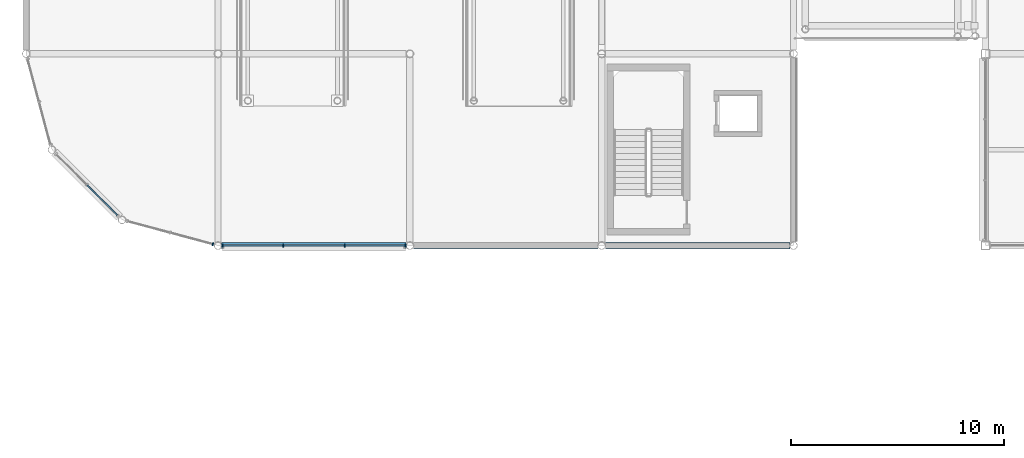
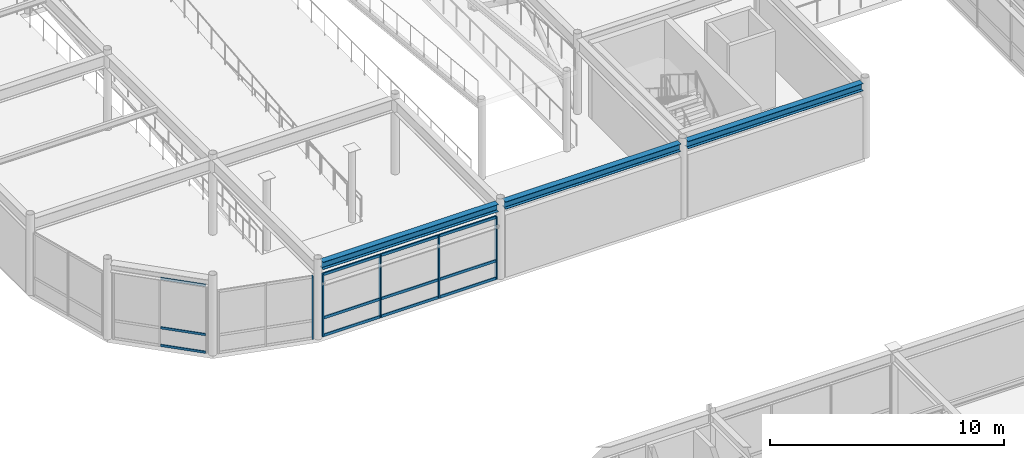
# One storey, part 33 of 108: 17 members, 3 beams, 3 elements without a shape of their own.
"""IFC4 building model written with IfcOpenShell, lengths in metres."""

from ifc_helpers import new_model, si_unit, direction, frame, origin, origin_2d, place, context, subcontext, project, spatial, rectangle, i_section, extrude, material, material_profile, profile_set, type_object, element, aggregate, save


model = new_model("IFC4")

# Units and contexts
model_context = context("Model", 3, precision=1e-05, world=origin(), true_north=direction((0.0, 1.0)))
body_context = subcontext(model_context, "Body", "Model", "MODEL_VIEW")
ifc_project = project(units=[si_unit("LENGTHUNIT", "METRE"), si_unit("AREAUNIT", "SQUARE_METRE"), si_unit("VOLUMEUNIT", "CUBIC_METRE"), si_unit("PLANEANGLEUNIT", "RADIAN"), si_unit("MASSUNIT", "GRAM", prefix="KILO")], contexts=[model_context])

# Site, building, storey
site_placement = place(None, origin())
site = spatial("IfcSite", under=ifc_project, at=site_placement, CompositionType="ELEMENT")
building_placement = place(site_placement, origin())
building = spatial("IfcBuilding", under=site, at=building_placement, Name="Suzunagisa Mobility Hub", CompositionType="ELEMENT")
storey_placement = place(building_placement, frame((0.0, 0.0, 9.300048828125)))
storey = spatial("IfcBuildingStorey", under=building, at=storey_placement, Name="L02", CompositionType="ELEMENT", Elevation=9.300048828125)

# Curtain wall, members
ifc_material_1 = material(Name="Thermally Broken Anodized Aluminum and Low-E Glazing", Category="aluminium")
curtain_wall_type_1 = type_object("IfcCurtainWallType", Name="Unitised Curtain Wall CW-13 8750x3200", PredefinedType="USERDEFINED", material=ifc_material_1)
curtain_wall_1_placement = place(storey_placement, origin())
curtain_wall_1 = element("IfcCurtainWall", 1, at=curtain_wall_1_placement, inside=storey, type_object=curtain_wall_type_1, Name="L02 Unitised Curtain Wall CW-66", ObjectType="UNITISED CURTAIN WALL", PredefinedType="USERDEFINED")
ifc_material_2 = material(Name="Anodized Aluminum 6063-T6", Category="aluminium")
ifc_material_profile_1 = material_profile(ifc_material_2, rectangle(XDim=0.06494140625, YDim=0.139892578125, at=origin_2d()), Name="TRAN-65x140")
ifc_profile_set_1 = profile_set([ifc_material_profile_1], Name="Anodized Aluminum 6063-T6")
member_type_1 = type_object("IfcMemberType", Name="Curtain Wall Framing CM-01 TRAN-65x140", PredefinedType="USERDEFINED", material=ifc_profile_set_1)
member_1_placement = place(storey_placement, frame((9.23583984375, 80.0, 0.032470703125), z_axis=(1.0, 0.0, 0.0), x_axis=(0.0, 1.0, 0.0)))
member_1 = element("IfcMember", 2, at=member_1_placement, type_object=member_type_1, Name="Curtain Wall Transom 66-T1.1", ObjectType="TRANSOM", PredefinedType="USERDEFINED", context=body_context, shape_type="SweptSolid", body=[
    extrude(rectangle(XDim=0.06494140625, YDim=0.139892578125, at=origin_2d()), origin(), (0.0, 0.0, 1.0), 2.79541015625),
])
member_2_placement = place(storey_placement, frame((9.23583984375, 80.0, 0.949951171875), z_axis=(1.0, 0.0, 0.0), x_axis=(0.0, 1.0, 0.0)))
member_2 = element("IfcMember", 3, at=member_2_placement, type_object=member_type_1, Name="Curtain Wall Transom 66-T1.2", ObjectType="TRANSOM", PredefinedType="USERDEFINED", context=body_context, shape_type="SweptSolid", body=[
    extrude(rectangle(XDim=0.06494140625, YDim=0.139892578125, at=origin_2d()), origin(), (0.0, 0.0, 1.0), 2.79541015625),
])
member_3_placement = place(storey_placement, frame((9.23583984375, 80.0, 3.217529296875), z_axis=(1.0, 0.0, 0.0), x_axis=(0.0, 1.0, 0.0)))
member_3 = element("IfcMember", 4, at=member_3_placement, type_object=member_type_1, Name="Curtain Wall Transom 66-T1.3", ObjectType="TRANSOM", PredefinedType="USERDEFINED", context=body_context, shape_type="SweptSolid", body=[
    extrude(rectangle(XDim=0.06494140625, YDim=0.139892578125, at=origin_2d()), origin(), (0.0, 0.0, 1.0), 2.79541015625),
])
member_4_placement = place(storey_placement, frame((12.08740234375, 80.0, 0.032470703125), z_axis=(1.0, 0.0, 0.0), x_axis=(0.0, 1.0, 0.0)))
member_4 = element("IfcMember", 5, at=member_4_placement, type_object=member_type_1, Name="Curtain Wall Transom 66-T2.1", ObjectType="TRANSOM", PredefinedType="USERDEFINED", context=body_context, shape_type="SweptSolid", body=[
    extrude(rectangle(XDim=0.06494140625, YDim=0.139892578125, at=origin_2d()), origin(), (0.0, 0.0, 1.0), 2.8251953125),
])
member_5_placement = place(storey_placement, frame((12.08740234375, 80.0, 0.949951171875), z_axis=(1.0, 0.0, 0.0), x_axis=(0.0, 1.0, 0.0)))
member_5 = element("IfcMember", 6, at=member_5_placement, type_object=member_type_1, Name="Curtain Wall Transom 66-T2.2", ObjectType="TRANSOM", PredefinedType="USERDEFINED", context=body_context, shape_type="SweptSolid", body=[
    extrude(rectangle(XDim=0.06494140625, YDim=0.139892578125, at=origin_2d()), origin(), (0.0, 0.0, 1.0), 2.8251953125),
])
member_6_placement = place(storey_placement, frame((12.08740234375, 80.0, 3.217529296875), z_axis=(1.0, 0.0, 0.0), x_axis=(0.0, 1.0, 0.0)))
member_6 = element("IfcMember", 7, at=member_6_placement, type_object=member_type_1, Name="Curtain Wall Transom 66-T2.3", ObjectType="TRANSOM", PredefinedType="USERDEFINED", context=body_context, shape_type="SweptSolid", body=[
    extrude(rectangle(XDim=0.06494140625, YDim=0.139892578125, at=origin_2d()), origin(), (0.0, 0.0, 1.0), 2.8251953125),
])
member_7_placement = place(storey_placement, frame((14.96875, 80.0, 0.032470703125), z_axis=(1.0, 0.0, 0.0), x_axis=(0.0, 1.0, 0.0)))
member_7 = element("IfcMember", 8, at=member_7_placement, type_object=member_type_1, Name="Curtain Wall Transom 66-T3.1", ObjectType="TRANSOM", PredefinedType="USERDEFINED", context=body_context, shape_type="SweptSolid", body=[
    extrude(rectangle(XDim=0.06494140625, YDim=0.139892578125, at=origin_2d()), origin(), (0.0, 0.0, 1.0), 2.79541015625),
])
member_8_placement = place(storey_placement, frame((14.96875, 80.0, 0.949951171875), z_axis=(1.0, 0.0, 0.0), x_axis=(0.0, 1.0, 0.0)))
member_8 = element("IfcMember", 9, at=member_8_placement, type_object=member_type_1, Name="Curtain Wall Transom 66-T3.2", ObjectType="TRANSOM", PredefinedType="USERDEFINED", context=body_context, shape_type="SweptSolid", body=[
    extrude(rectangle(XDim=0.06494140625, YDim=0.139892578125, at=origin_2d()), origin(), (0.0, 0.0, 1.0), 2.79541015625),
])
member_9_placement = place(storey_placement, frame((14.96875, 80.0, 3.217529296875), z_axis=(1.0, 0.0, 0.0), x_axis=(0.0, 1.0, 0.0)))
member_9 = element("IfcMember", 10, at=member_9_placement, type_object=member_type_1, Name="Curtain Wall Transom 66-T3.3", ObjectType="TRANSOM", PredefinedType="USERDEFINED", context=body_context, shape_type="SweptSolid", body=[
    extrude(rectangle(XDim=0.06494140625, YDim=0.139892578125, at=origin_2d()), origin(), (0.0, 0.0, 1.0), 2.79541015625),
])

curtain_wall_type_2 = type_object("IfcCurtainWallType", Name="Unitised Curtain Wall CW-44 4250x3600", PredefinedType="USERDEFINED", material=ifc_material_1)
curtain_wall_2_placement = place(storey_placement, origin())
curtain_wall_2 = element("IfcCurtainWall", 11, at=curtain_wall_2_placement, inside=storey, type_object=curtain_wall_type_2, Name="L02 Unitised Curtain Wall CW-64", ObjectType="UNITISED CURTAIN WALL", PredefinedType="USERDEFINED")
ifc_material_profile_2 = material_profile(ifc_material_2, rectangle(XDim=0.06005859375, YDim=0.1201171875, at=origin_2d()), Name="TRAN-60x120")
ifc_profile_set_2 = profile_set([ifc_material_profile_2], Name="Anodized Aluminum 6063-T6")
member_type_2 = type_object("IfcMemberType", Name="Curtain Wall Framing CM-02 TRAN-60x120", PredefinedType="USERDEFINED", material=ifc_profile_set_2)
member_10_placement = place(storey_placement, frame((2.872802734375, 82.8330078125, 0.030029296875), z_axis=(0.707106781187, -0.707106781187, 0.0), x_axis=(0.707106781187, 0.707106781187, 0.0)))
member_10 = element("IfcMember", 12, at=member_10_placement, type_object=member_type_2, Name="Curtain Wall Transom 64-T2.1", ObjectType="TRANSOM", PredefinedType="USERDEFINED", context=body_context, shape_type="SweptSolid", body=[
    extrude(rectangle(XDim=0.06005859375, YDim=0.1201171875, at=origin_2d()), origin(), (0.0, 0.0, 1.0), 1.991943359375),
])
member_11_placement = place(storey_placement, frame((2.872802734375, 82.8330078125, 0.949951171875), z_axis=(0.707106781187, -0.707106781187, 0.0), x_axis=(0.707106781187, 0.707106781187, 0.0)))
member_11 = element("IfcMember", 13, at=member_11_placement, type_object=member_type_2, Name="Curtain Wall Transom 64-T2.2", ObjectType="TRANSOM", PredefinedType="USERDEFINED", context=body_context, shape_type="SweptSolid", body=[
    extrude(rectangle(XDim=0.06005859375, YDim=0.1201171875, at=origin_2d()), origin(), (0.0, 0.0, 1.0), 1.991943359375),
])
member_12_placement = place(storey_placement, frame((2.872802734375, 82.8330078125, 3.52001953125), z_axis=(0.707106781187, -0.707106781187, 0.0), x_axis=(0.707106781187, 0.707106781187, 0.0)))
member_12 = element("IfcMember", 14, at=member_12_placement, type_object=member_type_2, Name="Curtain Wall Transom 64-T2.3", ObjectType="TRANSOM", PredefinedType="USERDEFINED", context=body_context, shape_type="SweptSolid", body=[
    extrude(rectangle(XDim=0.06005859375, YDim=0.1201171875, at=origin_2d()), origin(), (0.0, 0.0, 1.0), 1.991943359375),
])
aggregate(curtain_wall_2, [member_10, member_11, member_12])

# Curtain wall, member
curtain_wall_type_3 = type_object("IfcCurtainWallType", Name="Unitised Curtain Wall CW-01 4250x3200", PredefinedType="USERDEFINED", material=ifc_material_1)
curtain_wall_3_placement = place(storey_placement, origin())
curtain_wall_3 = element("IfcCurtainWall", 15, at=curtain_wall_3_placement, inside=storey, type_object=curtain_wall_type_3, Name="L02 Unitised Curtain Wall CW-65", ObjectType="UNITISED CURTAIN WALL", PredefinedType="USERDEFINED")
ifc_material_profile_3 = material_profile(ifc_material_2, rectangle(XDim=0.06005859375, YDim=0.14990234375, at=origin_2d()), Name="MULL-60x150")
ifc_profile_set_3 = profile_set([ifc_material_profile_3], Name="Anodized Aluminum 6063-T6")
member_type_3 = type_object("IfcMemberType", Name="Curtain Wall Framing CM-03 MULL-60x150", PredefinedType="MULLION", material=ifc_profile_set_3)
member_13_placement = place(storey_placement, frame((8.7607421875, 80.064208984375, 0.0), z_axis=(0.0, 0.0, 1.0), x_axis=(0.965930084429, -0.258803152984, 0.0)))
member_13 = element("IfcMember", 16, at=member_13_placement, type_object=member_type_3, Name="Curtain Wall Mullion 65-M3", PredefinedType="MULLION", context=body_context, shape_type="SweptSolid", body=[
    extrude(rectangle(XDim=0.06005859375, YDim=0.14990234375, at=origin_2d()), origin(), (0.0, 0.0, 1.0), 3.25),
])
aggregate(curtain_wall_3, [member_13])

# Member
member_14_placement = place(storey_placement, frame((9.207763671875, 80.0, 0.0), z_axis=(0.0, 0.0, 1.0), x_axis=(1.0, 0.0, 0.0)))
member_14 = element("IfcMember", 17, at=member_14_placement, type_object=member_type_3, Name="Curtain Wall Mullion 66-M1", PredefinedType="MULLION", context=body_context, shape_type="SweptSolid", body=[
    extrude(rectangle(XDim=0.06005859375, YDim=0.14990234375, at=origin_2d()), origin(), (0.0, 0.0, 1.0), 3.25),
])

member_15_placement = place(storey_placement, frame((12.059326171875, 80.0, 0.0), z_axis=(0.0, 0.0, 1.0), x_axis=(1.0, 0.0, 0.0)))
member_15 = element("IfcMember", 18, at=member_15_placement, type_object=member_type_3, Name="Curtain Wall Mullion 66-M2", PredefinedType="MULLION", context=body_context, shape_type="SweptSolid", body=[
    extrude(rectangle(XDim=0.06005859375, YDim=0.14990234375, at=origin_2d()), origin(), (0.0, 0.0, 1.0), 3.25),
])

member_16_placement = place(storey_placement, frame((14.940673828125, 80.0, 0.0), z_axis=(0.0, 0.0, 1.0), x_axis=(1.0, 0.0, 0.0)))
member_16 = element("IfcMember", 19, at=member_16_placement, type_object=member_type_3, Name="Curtain Wall Mullion 66-M3", PredefinedType="MULLION", context=body_context, shape_type="SweptSolid", body=[
    extrude(rectangle(XDim=0.06005859375, YDim=0.14990234375, at=origin_2d()), origin(), (0.0, 0.0, 1.0), 3.25),
])

member_17_placement = place(storey_placement, frame((17.792236328125, 80.0, 0.0), z_axis=(0.0, 0.0, 1.0), x_axis=(1.0, 0.0, 0.0)))
member_17 = element("IfcMember", 20, at=member_17_placement, type_object=member_type_3, Name="Curtain Wall Mullion 66-M4", PredefinedType="MULLION", context=body_context, shape_type="SweptSolid", body=[
    extrude(rectangle(XDim=0.06005859375, YDim=0.14990234375, at=origin_2d()), origin(), (0.0, 0.0, 1.0), 3.25),
])

aggregate(curtain_wall_1, [member_14, member_15, member_16, member_17, member_1, member_2, member_3, member_4, member_5, member_6, member_7, member_8, member_9])

# Beams
ifc_material_3 = material(Name="Steel SN490B", Category="steel")
ifc_material_profile_4 = material_profile(ifc_material_3, i_section(OverallWidth=0.300048828125, OverallDepth=0.389892578125, WebThickness=0.010009765625, FlangeThickness=0.01611328125, FilletRadius=0.012939453125, at=origin_2d()), Name="H-390x300x10x16")
ifc_profile_set_4 = profile_set([ifc_material_profile_4], Name="Steel SN490B")
beam_type = type_object("IfcBeamType", Name="Steel Beam BM-13 H-390x300x10x16", PredefinedType="SPANDREL", material=ifc_profile_set_4)
for number, where, z_axis, x_axis, name in (
    (21, (9.173828125, 80.0, 3.7548828125), (1.0, 0.0, 0.0), (0.0, 1.0, 0.0), "L02 Primary Girder GX-520"),
    (22, (18.173828125, 80.0, 3.7548828125), (1.0, 0.0, 0.0), (0.0, 1.0, 0.0), "L02 Primary Girder GX-521"),
    (23, (27.173828125, 80.0, 3.7548828125), (1.0, 0.0, 0.0), (0.0, 1.0, 0.0), "L02 Primary Girder GX-522"),
):
    element("IfcBeam", number, at=place(storey_placement, frame(where, z_axis=z_axis, x_axis=x_axis)), inside=storey, type_object=beam_type, Name=name, PredefinedType="SPANDREL", context=body_context, shape_type="SweptSolid", body=[
        extrude(i_section(OverallWidth=0.300048828125, OverallDepth=0.389892578125, WebThickness=0.010009765625, FlangeThickness=0.01611328125, FilletRadius=0.012939453125, at=origin_2d()), origin(), (0.0, 0.0, 1.0), 8.65234375),
    ])

save(model, "model.ifc")
